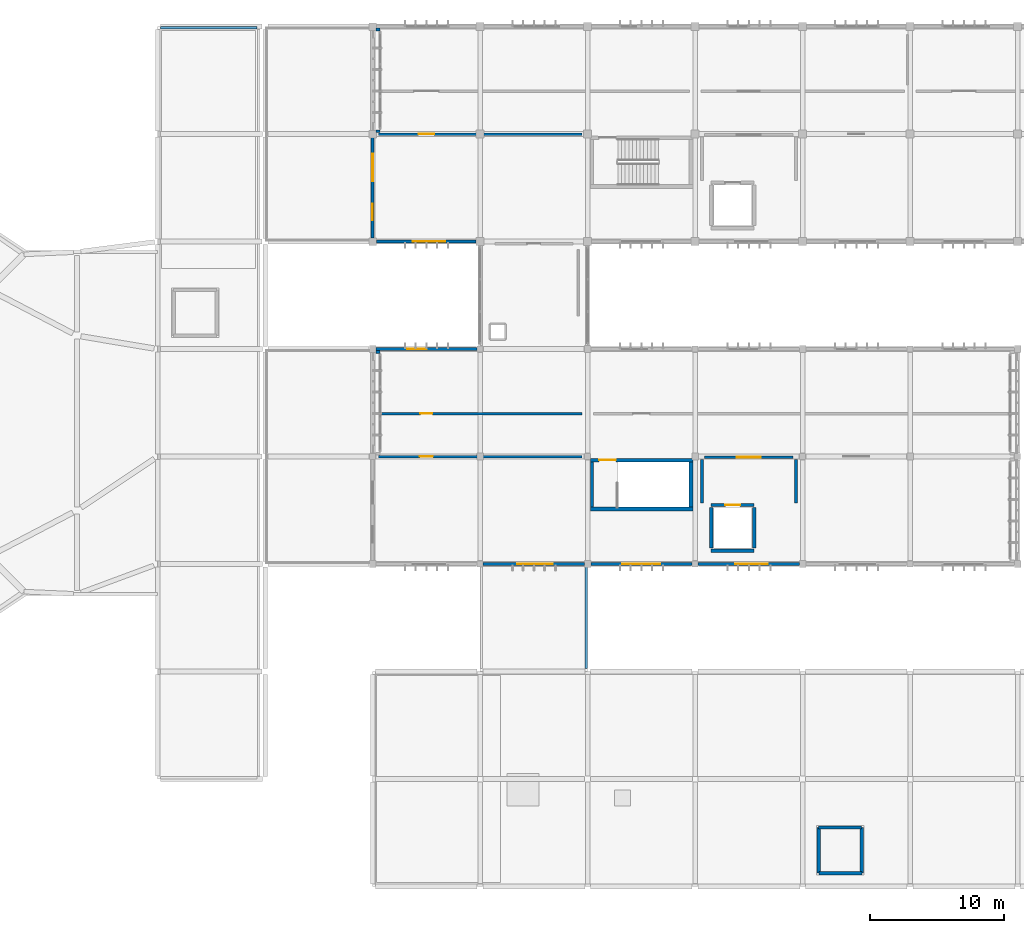
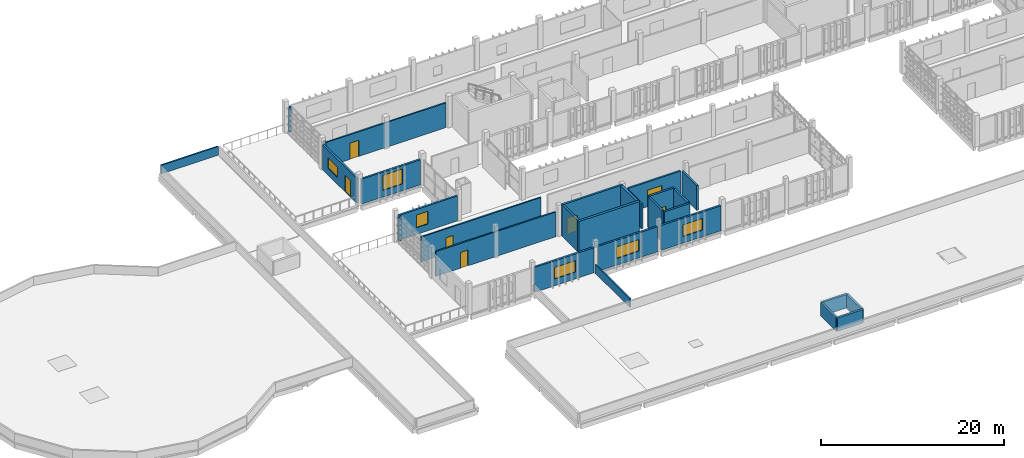
# One storey, part 31 of 48: 29 walls, 7 doors, 6 windows, 13 openings.
"""IFC4 building model written with IfcOpenShell, lengths in metres."""

from ifc_helpers import new_model, si_unit, direction, frame, frame_2d, origin, place, context, subcontext, project, spatial, rectangle, extrude, material, layer, layer_set, type_object, element, fill, save


model = new_model("IFC4")

# Units and contexts
model_context = context("Model", 3, precision=1e-05, world=origin(), true_north=direction((0.0, 1.0)))
body_context = subcontext(model_context, "Body", "Model", "MODEL_VIEW")
ifc_project = project(units=[si_unit("LENGTHUNIT", "METRE"), si_unit("AREAUNIT", "SQUARE_METRE"), si_unit("VOLUMEUNIT", "CUBIC_METRE"), si_unit("PLANEANGLEUNIT", "RADIAN"), si_unit("MASSUNIT", "GRAM", prefix="KILO")], contexts=[model_context])

# Site, building, storey
site_placement = place(None, origin())
site = spatial("IfcSite", under=ifc_project, at=site_placement, CompositionType="ELEMENT")
building_placement = place(site_placement, origin())
building = spatial("IfcBuilding", under=site, at=building_placement, Name="Jelvoka-Kovrelna Polytechnic", CompositionType="ELEMENT")
storey_placement = place(building_placement, frame((0.0, 0.0, 22.199951171875)))
storey = spatial("IfcBuildingStorey", under=building, at=storey_placement, Name="L06", CompositionType="ELEMENT", Elevation=22.199951171875)

# Wall, opening, door
ifc_material_1 = material(Name="Concrete C35/45", Category="concrete")
ifc_layer_1 = layer(ifc_material_1, 0.219970703125)
ifc_layer_set_1 = layer_set([ifc_layer_1], Name="Concrete C35/45")
wall_type_1 = type_object("IfcWallType", Name="Wall_Compartment_220", PredefinedType="PARTITIONING", material=ifc_layer_set_1)
wall_1_placement = place(storey_placement, frame((88.699951171875, 39.949951171875, 0.0), z_axis=(0.0, 0.0, 1.0), x_axis=(1.0, 0.0, 0.0)))
wall_1 = element("IfcWall", 1, at=wall_1_placement, inside=storey, type_object=wall_type_1, Name="L06 interior wall 0445", PredefinedType="PARTITIONING", context=body_context, shape_type="SweptSolid", body=[
    extrude(rectangle(XDim=6.60009765625, YDim=0.219970703125, at=frame_2d((3.300048828125, 0.0))), origin(), (0.0, 0.0, 1.0), 3.300048828125),
])
opening_1_placement = place(wall_1_placement, frame((2.39990234375, 0.0, 0.0)))
opening_1 = element("IfcOpeningElement", 2, at=opening_1_placement, cuts=wall_1, Name="Opening FD-L06-088", PredefinedType="OPENING", context=body_context, shape_type="SweptSolid", body=[
    extrude(rectangle(XDim=1.800048828125, YDim=2.199951171875, at=frame_2d((0.89990234375, 1.10009765625))), frame((0.0, 0.119873046875, 0.0), z_axis=(0.0, -1.0, 0.0), x_axis=(1.0, 0.0, 0.0)), (0.0, 0.0, 1.0), 0.239990234375),
])
ifc_material_2 = material(Name="Paired steel corridor fire door", Category="steel")
door_type_1 = type_object("IfcDoorType", Name="Door_Fire_FD03", OperationType="NOTDEFINED", PredefinedType="DOOR", material=ifc_material_2)
door_1_placement = place(opening_1_placement, origin())
door_1 = element("IfcDoor", 3, at=door_1_placement, inside=storey, type_object=door_type_1, Name="L06 interior door FD-L06-088", OperationType="DOUBLE_DOOR_SINGLE_SWING", OverallHeight=2.199951171875, OverallWidth=1.800048828125, PredefinedType="DOOR", context=body_context, shape_type="SweptSolid", body=[
    extrude(rectangle(XDim=1.800048828125, YDim=2.199951171875, at=frame_2d((0.89990234375, 1.10009765625))), frame((0.0, 0.02490234375, 0.0), z_axis=(0.0, -1.0, 0.0), x_axis=(1.0, 0.0, 0.0)), (0.0, 0.0, 1.0), 0.050048828125),
])
fill(opening_1, door_1)

# Walls
for number, where, z_axis, x_axis, name in (
    (4, (88.5, 36.550048828125, 0.0), (0.0, 0.0, 1.0), (0.0, 1.0, 0.0), "L06 interior wall 0446"),
    (5, (95.5, 36.550048828125, 0.0), (0.0, 0.0, 1.0), (0.0, 1.0, 0.0), "L06 interior wall 0447"),
):
    element("IfcWall", number, at=place(storey_placement, frame(where, z_axis=z_axis, x_axis=x_axis)), inside=storey, type_object=wall_type_1, Name=name, PredefinedType="PARTITIONING", context=body_context, shape_type="SweptSolid", body=[
        extrude(rectangle(XDim=3.25, YDim=0.219970703125, at=frame_2d((1.625, 0.0))), origin(), (0.0, 0.0, 1.0), 3.300048828125),
    ])

# Wall, opening, door
ifc_material_3 = material(Name="Concrete C40/50", Category="concrete")
ifc_layer_2 = layer(ifc_material_3, 0.25)
ifc_layer_set_2 = layer_set([ifc_layer_2], Name="Concrete C40/50")
wall_type_2 = type_object("IfcWallType", Name="Wall_Core_250", PredefinedType="SOLIDWALL", material=ifc_layer_set_2)
wall_2_placement = place(storey_placement, frame((80.199951171875, 39.739990234375, 0.0), z_axis=(0.0, 0.0, 1.0), x_axis=(1.0, 0.0, 0.0)))
wall_2 = element("IfcWall", 6, at=wall_2_placement, inside=storey, type_object=wall_type_2, Name="L06 interior wall 0111", PredefinedType="SOLIDWALL", context=body_context, shape_type="SweptSolid", body=[
    extrude(rectangle(XDim=7.650146484375, YDim=0.25, at=frame_2d((3.8251953125, 0.0))), origin(), (0.0, 0.0, 1.0), 4.199951171875),
])
opening_2_placement = place(wall_2_placement, frame((0.64990234375, 0.0, 0.0)))
opening_2 = element("IfcOpeningElement", 7, at=opening_2_placement, cuts=wall_2, Name="Opening SD-L06-028", PredefinedType="OPENING", context=body_context, shape_type="SweptSolid", body=[
    extrude(rectangle(XDim=1.25, YDim=2.14990234375, at=frame_2d((0.625, 1.074951171875))), frame((0.0, 0.135009765625, 0.0), z_axis=(0.0, -1.0, 0.0), x_axis=(1.0, 0.0, 0.0)), (0.0, 0.0, 1.0), 0.27001953125),
])
ifc_material_4 = material(Name="Powder-coated steel fire door", Category="steel")
door_type_2 = type_object("IfcDoorType", Name="Door_Fire_FD02", OperationType="NOTDEFINED", PredefinedType="DOOR", material=ifc_material_4)
door_2_placement = place(opening_2_placement, origin())
door_2 = element("IfcDoor", 8, at=door_2_placement, inside=storey, type_object=door_type_2, Name="L06 interior door SD-L06-028", OperationType="SINGLE_SWING_LEFT", OverallHeight=2.14990234375, OverallWidth=1.25, PredefinedType="DOOR", context=body_context, shape_type="SweptSolid", body=[
    extrude(rectangle(XDim=1.25, YDim=2.14990234375, at=frame_2d((0.625, 1.074951171875))), frame((0.0, 0.02490234375, 0.0), z_axis=(0.0, -1.0, 0.0), x_axis=(1.0, 0.0, 0.0)), (0.0, 0.0, 1.0), 0.050048828125),
])
fill(opening_2, door_2)

# Walls
wall_3_placement = place(storey_placement, frame((80.324951171875, 36.25, 0.0), z_axis=(0.0, 0.0, 1.0), x_axis=(0.0, 1.0, 0.0)))
element("IfcWall", 9, at=wall_3_placement, inside=storey, type_object=wall_type_2, Name="L06 interior wall 0112", PredefinedType="SOLIDWALL", context=body_context, shape_type="SweptSolid", body=[
    extrude(rectangle(XDim=3.360107421875, YDim=0.25, at=frame_2d((1.68017578125, 0.0))), origin(), (0.0, 0.0, 1.0), 4.199951171875),
])
wall_4_placement = place(storey_placement, frame((89.199951171875, 33.0, 0.0), z_axis=(0.0, 0.0, 1.0), x_axis=(1.0, 0.0, 0.0)))
element("IfcWall", 10, at=wall_4_placement, inside=storey, type_object=wall_type_2, Name="L06 interior wall 0441", PredefinedType="SOLIDWALL", context=body_context, shape_type="SweptSolid", body=[
    extrude(rectangle(XDim=3.199951171875, YDim=0.25, at=frame_2d((1.60009765625, 0.0))), origin(), (0.0, 0.0, 1.0), 4.199951171875),
])

# Wall, opening, door
wall_5_placement = place(storey_placement, frame((89.199951171875, 36.39990234375, 0.0), z_axis=(0.0, 0.0, 1.0), x_axis=(1.0, 0.0, 0.0)))
wall_5 = element("IfcWall", 11, at=wall_5_placement, inside=storey, type_object=wall_type_2, Name="L06 interior wall 0442", PredefinedType="SOLIDWALL", context=body_context, shape_type="SweptSolid", body=[
    extrude(rectangle(XDim=3.199951171875, YDim=0.25, at=frame_2d((1.60009765625, 0.0))), origin(), (0.0, 0.0, 1.0), 4.199951171875),
])
opening_3_placement = place(wall_5_placement, frame((1.050048828125, 0.0, 0.0)))
opening_3 = element("IfcOpeningElement", 12, at=opening_3_placement, cuts=wall_5, Name="Opening LD-L06-25", PredefinedType="OPENING", context=body_context, shape_type="SweptSolid", body=[
    extrude(rectangle(XDim=1.10009765625, YDim=2.14990234375, at=frame_2d((0.550048828125, 1.074951171875))), frame((0.0, 0.135009765625, 0.0), z_axis=(0.0, -1.0, 0.0), x_axis=(1.0, 0.0, 0.0)), (0.0, 0.0, 1.0), 0.27001953125),
])
ifc_material_5 = material(Name="Brushed stainless steel sliding landing door", Category="steel")
door_type_3 = type_object("IfcDoorType", Name="Door_Lift_LD01", OperationType="NOTDEFINED", PredefinedType="DOOR", material=ifc_material_5)
door_3_placement = place(opening_3_placement, origin())
door_3 = element("IfcDoor", 13, at=door_3_placement, inside=storey, type_object=door_type_3, Name="L06 lift landing sliding door LD-L06-25", OperationType="DOUBLE_DOOR_SLIDING", OverallHeight=2.14990234375, OverallWidth=1.10009765625, PredefinedType="DOOR", context=body_context, shape_type="SweptSolid", body=[
    extrude(rectangle(XDim=1.10009765625, YDim=2.14990234375, at=frame_2d((0.550048828125, 1.074951171875))), frame((0.0, 0.02490234375, 0.0), z_axis=(0.0, -1.0, 0.0), x_axis=(1.0, 0.0, 0.0)), (0.0, 0.0, 1.0), 0.050048828125),
])
fill(opening_3, door_3)

# Walls
for number, where, z_axis, x_axis, name in (
    (14, (89.199951171875, 33.199951171875, 0.0), (0.0, 0.0, 1.0), (0.0, 1.0, 0.0), "L06 interior wall 0443"),
    (15, (92.39990234375, 33.199951171875, 0.0), (0.0, 0.0, 1.0), (0.0, 1.0, 0.0), "L06 interior wall 0444"),
):
    element("IfcWall", number, at=place(storey_placement, frame(where, z_axis=z_axis, x_axis=x_axis)), inside=storey, type_object=wall_type_2, Name=name, PredefinedType="SOLIDWALL", context=body_context, shape_type="SweptSolid", body=[
        extrude(rectangle(XDim=3.0, YDim=0.25, at=frame_2d((1.5, 0.0))), origin(), (0.0, 0.0, 1.0), 4.199951171875),
    ])
wall_6_placement = place(storey_placement, frame((97.199951171875, 9.0, 0.0), z_axis=(0.0, 0.0, 1.0), x_axis=(1.0, 0.0, 0.0)))
element("IfcWall", 16, at=wall_6_placement, inside=storey, type_object=wall_type_2, Name="L06 interior wall 0555", PredefinedType="SOLIDWALL", context=body_context, shape_type="SweptSolid", body=[
    extrude(rectangle(XDim=3.199951171875, YDim=0.25, at=frame_2d((1.60009765625, 0.0))), origin(), (0.0, 0.0, 1.0), 1.800048828125),
])
wall_7_placement = place(storey_placement, frame((100.39990234375, 9.0, 0.0), z_axis=(0.0, 0.0, 1.0), x_axis=(0.0, 1.0, 0.0)))
element("IfcWall", 17, at=wall_7_placement, inside=storey, type_object=wall_type_2, Name="L06 interior wall 0556", PredefinedType="SOLIDWALL", context=body_context, shape_type="SweptSolid", body=[
    extrude(rectangle(XDim=3.39990234375, YDim=0.25, at=frame_2d((1.699951171875, 0.0))), origin(), (0.0, 0.0, 1.0), 1.800048828125),
])
wall_8_placement = place(storey_placement, frame((100.39990234375, 12.39990234375, 0.0), z_axis=(0.0, 0.0, 1.0), x_axis=(-1.0, 0.0, 0.0)))
element("IfcWall", 18, at=wall_8_placement, inside=storey, type_object=wall_type_2, Name="L06 interior wall 0557", PredefinedType="SOLIDWALL", context=body_context, shape_type="SweptSolid", body=[
    extrude(rectangle(XDim=3.199951171875, YDim=0.25, at=frame_2d((1.60009765625, 0.0))), origin(), (0.0, 0.0, 1.0), 1.800048828125),
])
wall_9_placement = place(storey_placement, frame((97.199951171875, 12.39990234375, 0.0), z_axis=(0.0, 0.0, 1.0), x_axis=(0.0, -1.0, 0.0)))
element("IfcWall", 19, at=wall_9_placement, inside=storey, type_object=wall_type_2, Name="L06 interior wall 0558", PredefinedType="SOLIDWALL", context=body_context, shape_type="SweptSolid", body=[
    extrude(rectangle(XDim=3.39990234375, YDim=0.25, at=frame_2d((1.699951171875, 0.0))), origin(), (0.0, 0.0, 1.0), 1.800048828125),
])

# Wall, opening, door
ifc_material_6 = material(Name="Autoclaved aerated concrete blockwork", Category="masonry")
ifc_layer_3 = layer(ifc_material_6, 0.179931640625)
ifc_layer_set_3 = layer_set([ifc_layer_3], Name="Autoclaved aerated concrete blockwork")
wall_type_3 = type_object("IfcWallType", Name="Wall_Corridor_180", PredefinedType="PARTITIONING", material=ifc_layer_set_3)
wall_10_placement = place(storey_placement, frame((64.429931640625, 40.0, 0.0), z_axis=(0.0, 0.0, 1.0), x_axis=(1.0, 0.0, 0.0)))
wall_10 = element("IfcWall", 20, at=wall_10_placement, inside=storey, type_object=wall_type_3, Name="L06 interior wall 1240", PredefinedType="PARTITIONING", context=body_context, shape_type="SweptSolid", body=[
    extrude(rectangle(XDim=15.14013671875, YDim=0.179931640625, at=frame_2d((7.570068359375, 0.0))), origin(), (0.0, 0.0, 1.0), 3.300048828125),
])
opening_4_placement = place(wall_10_placement, frame((3.094970703125, 0.0, 0.0)))
opening_4 = element("IfcOpeningElement", 21, at=opening_4_placement, cuts=wall_10, Name="Opening D-L06-416", PredefinedType="OPENING", context=body_context, shape_type="SweptSolid", body=[
    extrude(rectangle(XDim=0.949951171875, YDim=2.10009765625, at=frame_2d((0.47509765625, 1.050048828125))), frame((0.0, 0.099853515625, 0.0), z_axis=(0.0, -1.0, 0.0), x_axis=(1.0, 0.0, 0.0)), (0.0, 0.0, 1.0), 0.199951171875),
])
ifc_material_7 = material(Name="Hardwood fire-resisting laboratory door", Category="wood")
door_type_4 = type_object("IfcDoorType", Name="Door_Fire_FD30_01", OperationType="NOTDEFINED", PredefinedType="DOOR", material=ifc_material_7)
door_4_placement = place(opening_4_placement, origin())
door_4 = element("IfcDoor", 22, at=door_4_placement, inside=storey, type_object=door_type_4, Name="L06 interior door D-L06-416", OperationType="SINGLE_SWING_LEFT", OverallHeight=2.10009765625, OverallWidth=0.949951171875, PredefinedType="DOOR", context=body_context, shape_type="SweptSolid", body=[
    extrude(rectangle(XDim=0.949951171875, YDim=2.10009765625, at=frame_2d((0.47509765625, 1.050048828125))), frame((0.0, 0.02490234375, 0.0), z_axis=(0.0, -1.0, 0.0), x_axis=(1.0, 0.0, 0.0)), (0.0, 0.0, 1.0), 0.050048828125),
])
fill(opening_4, door_4)

wall_11_placement = place(storey_placement, frame((64.429931640625, 43.199951171875, 0.0), z_axis=(0.0, 0.0, 1.0), x_axis=(1.0, 0.0, 0.0)))
wall_11 = element("IfcWall", 23, at=wall_11_placement, inside=storey, type_object=wall_type_3, Name="L06 interior wall 1242", PredefinedType="PARTITIONING", context=body_context, shape_type="SweptSolid", body=[
    extrude(rectangle(XDim=15.14013671875, YDim=0.179931640625, at=frame_2d((7.570068359375, 0.0))), origin(), (0.0, 0.0, 1.0), 3.300048828125),
])
opening_5_placement = place(wall_11_placement, frame((3.1201171875, 0.0, 0.0)))
opening_5 = element("IfcOpeningElement", 24, at=opening_5_placement, cuts=wall_11, Name="Opening D-L06-418", PredefinedType="OPENING", context=body_context, shape_type="SweptSolid", body=[
    extrude(rectangle(XDim=0.89990234375, YDim=2.10009765625, at=frame_2d((0.449951171875, 1.050048828125))), frame((0.0, 0.099853515625, 0.0), z_axis=(0.0, -1.0, 0.0), x_axis=(1.0, 0.0, 0.0)), (0.0, 0.0, 1.0), 0.199951171875),
])
ifc_material_8 = material(Name="Hardwood solid-core door", Category="wood")
door_type_5 = type_object("IfcDoorType", Name="Door_Int_D01", OperationType="NOTDEFINED", PredefinedType="DOOR", material=ifc_material_8)
door_5_placement = place(opening_5_placement, origin())
door_5 = element("IfcDoor", 25, at=door_5_placement, inside=storey, type_object=door_type_5, Name="L06 interior door D-L06-418", OperationType="SINGLE_SWING_RIGHT", OverallHeight=2.10009765625, OverallWidth=0.89990234375, PredefinedType="DOOR", context=body_context, shape_type="SweptSolid", body=[
    extrude(rectangle(XDim=0.89990234375, YDim=2.10009765625, at=frame_2d((0.449951171875, 1.050048828125))), frame((0.0, 0.02490234375, 0.0), z_axis=(0.0, -1.0, 0.0), x_axis=(1.0, 0.0, 0.0)), (0.0, 0.0, 1.0), 0.050048828125),
])
fill(opening_5, door_5)

wall_12_placement = place(storey_placement, frame((64.429931640625, 64.0, 0.0), z_axis=(0.0, 0.0, 1.0), x_axis=(1.0, 0.0, 0.0)))
wall_12 = element("IfcWall", 26, at=wall_12_placement, inside=storey, type_object=wall_type_3, Name="L06 interior wall 1252", PredefinedType="PARTITIONING", context=body_context, shape_type="SweptSolid", body=[
    extrude(rectangle(XDim=15.14013671875, YDim=0.179931640625, at=frame_2d((7.570068359375, 0.0))), origin(), (0.0, 0.0, 1.0), 3.300048828125),
])
opening_6_placement = place(wall_12_placement, frame((2.9951171875, 0.0, 0.0)))
opening_6 = element("IfcOpeningElement", 27, at=opening_6_placement, cuts=wall_12, Name="Opening D-L06-427", PredefinedType="OPENING", context=body_context, shape_type="SweptSolid", body=[
    extrude(rectangle(XDim=1.14990234375, YDim=2.14990234375, at=frame_2d((0.574951171875, 1.074951171875))), frame((0.0, 0.099853515625, 0.0), z_axis=(0.0, -1.0, 0.0), x_axis=(1.0, 0.0, 0.0)), (0.0, 0.0, 1.0), 0.199951171875),
])
ifc_material_9 = material(Name="Hardwood fire-resisting laboratory door", Category="wood")
door_type_6 = type_object("IfcDoorType", Name="Door_Fire_FD30_03", OperationType="NOTDEFINED", PredefinedType="DOOR", material=ifc_material_9)
door_6_placement = place(opening_6_placement, origin())
door_6 = element("IfcDoor", 28, at=door_6_placement, inside=storey, type_object=door_type_6, Name="L06 interior door D-L06-427", OperationType="SINGLE_SWING_LEFT", OverallHeight=2.14990234375, OverallWidth=1.14990234375, PredefinedType="DOOR", context=body_context, shape_type="SweptSolid", body=[
    extrude(rectangle(XDim=1.14990234375, YDim=2.14990234375, at=frame_2d((0.574951171875, 1.074951171875))), frame((0.0, 0.02490234375, 0.0), z_axis=(0.0, -1.0, 0.0), x_axis=(1.0, 0.0, 0.0)), (0.0, 0.0, 1.0), 0.050048828125),
])
fill(opening_6, door_6)

# Wall, opening, window
ifc_material_10 = material(Name="Precast concrete C40/50", Category="concrete")
ifc_layer_4 = layer(ifc_material_10, 0.239990234375)
ifc_layer_set_4 = layer_set([ifc_layer_4], Name="Precast concrete C40/50")
wall_type_4 = type_object("IfcWallType", Name="Wall_Ext_White_240", PredefinedType="STANDARD", material=ifc_layer_set_4)
wall_13_placement = place(storey_placement, frame((64.2470703125, 48.0, 0.0), z_axis=(0.0, 0.0, 1.0), x_axis=(1.0, 0.0, 0.0)))
wall_13 = element("IfcWall", 29, at=wall_13_placement, inside=storey, type_object=wall_type_4, Name="L06 exterior wall 0429", PredefinedType="STANDARD", context=body_context, shape_type="SweptSolid", body=[
    extrude(rectangle(XDim=7.531005859375, YDim=0.239990234375, at=frame_2d((3.765625, 0.0))), origin(), (0.0, 0.0, 1.0), 3.3349609375),
])
opening_7_placement = place(wall_13_placement, frame((2.3330078125, 0.0, 0.89990234375)))
opening_7 = element("IfcOpeningElement", 30, at=opening_7_placement, cuts=wall_13, Name="Opening W-L06-158", PredefinedType="OPENING", context=body_context, shape_type="SweptSolid", body=[
    extrude(rectangle(XDim=1.449951171875, YDim=1.699951171875, at=frame_2d((0.72509765625, 0.85009765625))), frame((0.0, 0.130126953125, 0.0), z_axis=(0.0, -1.0, 0.0), x_axis=(1.0, 0.0, 0.0)), (0.0, 0.0, 1.0), 0.260009765625),
])
ifc_material_11 = material(Name="Thermally broken anodised aluminium and low-e glazing", Category="aluminium")
window_type_1 = type_object("IfcWindowType", Name="Win_Casement_W33", PartitioningType="SINGLE_PANEL", PredefinedType="WINDOW", material=ifc_material_11)
window_1_placement = place(opening_7_placement, origin())
window_1 = element("IfcWindow", 31, at=window_1_placement, inside=storey, type_object=window_type_1, Name="L06 aluminium casement window W-L06-158", OverallHeight=1.699951171875, OverallWidth=1.449951171875, PartitioningType="SINGLE_PANEL", PredefinedType="WINDOW", context=body_context, shape_type="SweptSolid", body=[
    extrude(rectangle(XDim=1.449951171875, YDim=1.699951171875, at=frame_2d((0.72509765625, 0.85009765625))), frame((0.0, 0.030029296875, 0.0), z_axis=(0.0, -1.0, 0.0), x_axis=(1.0, 0.0, 0.0)), (0.0, 0.0, 1.0), 0.06005859375),
])
fill(opening_7, window_1)

wall_14_placement = place(storey_placement, frame((79.7529296875, 32.0, 0.0), z_axis=(0.0, 0.0, 1.0), x_axis=(-1.0, 0.0, 0.0)))
wall_14 = element("IfcWall", 32, at=wall_14_placement, inside=storey, type_object=wall_type_4, Name="L06 exterior wall 0430", PredefinedType="STANDARD", context=body_context, shape_type="SweptSolid", body=[
    extrude(rectangle(XDim=7.531005859375, YDim=0.239990234375, at=frame_2d((3.765625, 0.0))), origin(), (0.0, 0.0, 1.0), 3.3349609375),
])
opening_8_placement = place(wall_14_placement, frame((2.3330078125, 0.0, 0.89990234375)))
opening_8 = element("IfcOpeningElement", 33, at=opening_8_placement, cuts=wall_14, Name="Opening W-L06-159", PredefinedType="OPENING", context=body_context, shape_type="SweptSolid", body=[
    extrude(rectangle(XDim=2.64990234375, YDim=1.550048828125, at=frame_2d((1.324951171875, 0.77490234375))), frame((0.0, 0.130126953125, 0.0), z_axis=(0.0, -1.0, 0.0), x_axis=(1.0, 0.0, 0.0)), (0.0, 0.0, 1.0), 0.260009765625),
])
ifc_material_12 = material(Name="Thermally broken anodised aluminium and low-e glazing", Category="aluminium")
window_type_2 = type_object("IfcWindowType", Name="Win_Casement_W29", PartitioningType="DOUBLE_PANEL_VERTICAL", PredefinedType="WINDOW", material=ifc_material_12)
window_2_placement = place(opening_8_placement, origin())
window_2 = element("IfcWindow", 34, at=window_2_placement, inside=storey, type_object=window_type_2, Name="L06 aluminium casement window W-L06-159", OverallHeight=1.550048828125, OverallWidth=2.64990234375, PartitioningType="DOUBLE_PANEL_VERTICAL", PredefinedType="WINDOW", context=body_context, shape_type="SweptSolid", body=[
    extrude(rectangle(XDim=2.64990234375, YDim=1.550048828125, at=frame_2d((1.324951171875, 0.77490234375))), frame((0.0, 0.030029296875, 0.0), z_axis=(0.0, -1.0, 0.0), x_axis=(1.0, 0.0, 0.0)), (0.0, 0.0, 1.0), 0.06005859375),
])
fill(opening_8, window_2)

wall_15_placement = place(storey_placement, frame((87.778076171875, 32.0, 0.0), z_axis=(0.0, 0.0, 1.0), x_axis=(-1.0, 0.0, 0.0)))
wall_15 = element("IfcWall", 35, at=wall_15_placement, inside=storey, type_object=wall_type_4, Name="L06 exterior wall 0431", PredefinedType="STANDARD", context=body_context, shape_type="SweptSolid", body=[
    extrude(rectangle(XDim=7.531005859375, YDim=0.239990234375, at=frame_2d((3.765625, 0.0))), origin(), (0.0, 0.0, 1.0), 3.3349609375),
])
opening_9_placement = place(wall_15_placement, frame((2.35791015625, 0.0, 0.89990234375)))
opening_9 = element("IfcOpeningElement", 36, at=opening_9_placement, cuts=wall_15, Name="Opening W-L06-160", PredefinedType="OPENING", context=body_context, shape_type="SweptSolid", body=[
    extrude(rectangle(XDim=2.85009765625, YDim=1.550048828125, at=frame_2d((1.425048828125, 0.77490234375))), frame((0.0, 0.130126953125, 0.0), z_axis=(0.0, -1.0, 0.0), x_axis=(1.0, 0.0, 0.0)), (0.0, 0.0, 1.0), 0.260009765625),
])
ifc_material_13 = material(Name="Thermally broken anodised aluminium and low-e glazing", Category="aluminium")
window_type_3 = type_object("IfcWindowType", Name="Win_Casement_W30", PartitioningType="DOUBLE_PANEL_VERTICAL", PredefinedType="WINDOW", material=ifc_material_13)
window_3_placement = place(opening_9_placement, origin())
window_3 = element("IfcWindow", 37, at=window_3_placement, inside=storey, type_object=window_type_3, Name="L06 aluminium casement window W-L06-160", OverallHeight=1.550048828125, OverallWidth=2.85009765625, PartitioningType="DOUBLE_PANEL_VERTICAL", PredefinedType="WINDOW", context=body_context, shape_type="SweptSolid", body=[
    extrude(rectangle(XDim=2.85009765625, YDim=1.550048828125, at=frame_2d((1.425048828125, 0.77490234375))), frame((0.0, 0.030029296875, 0.0), z_axis=(0.0, -1.0, 0.0), x_axis=(1.0, 0.0, 0.0)), (0.0, 0.0, 1.0), 0.06005859375),
])
fill(opening_9, window_3)

wall_16_placement = place(storey_placement, frame((95.7529296875, 32.0, 0.0), z_axis=(0.0, 0.0, 1.0), x_axis=(-1.0, 0.0, 0.0)))
wall_16 = element("IfcWall", 38, at=wall_16_placement, inside=storey, type_object=wall_type_4, Name="L06 exterior wall 0433", PredefinedType="STANDARD", context=body_context, shape_type="SweptSolid", body=[
    extrude(rectangle(XDim=7.531005859375, YDim=0.239990234375, at=frame_2d((3.765625, 0.0))), origin(), (0.0, 0.0, 1.0), 3.3349609375),
])
opening_10_placement = place(wall_16_placement, frame((2.3330078125, 0.0, 0.89990234375)))
opening_10 = element("IfcOpeningElement", 39, at=opening_10_placement, cuts=wall_16, Name="Opening W-L06-162", PredefinedType="OPENING", context=body_context, shape_type="SweptSolid", body=[
    extrude(rectangle(XDim=2.449951171875, YDim=1.550048828125, at=frame_2d((1.22509765625, 0.77490234375))), frame((0.0, 0.130126953125, 0.0), z_axis=(0.0, -1.0, 0.0), x_axis=(1.0, 0.0, 0.0)), (0.0, 0.0, 1.0), 0.260009765625),
])
ifc_material_14 = material(Name="Thermally broken anodised aluminium and low-e glazing", Category="aluminium")
window_type_4 = type_object("IfcWindowType", Name="Win_Casement_W28", PartitioningType="DOUBLE_PANEL_VERTICAL", PredefinedType="WINDOW", material=ifc_material_14)
window_4_placement = place(opening_10_placement, origin())
window_4 = element("IfcWindow", 40, at=window_4_placement, inside=storey, type_object=window_type_4, Name="L06 aluminium casement window W-L06-162", OverallHeight=1.550048828125, OverallWidth=2.449951171875, PartitioningType="DOUBLE_PANEL_VERTICAL", PredefinedType="WINDOW", context=body_context, shape_type="SweptSolid", body=[
    extrude(rectangle(XDim=2.449951171875, YDim=1.550048828125, at=frame_2d((1.22509765625, 0.77490234375))), frame((0.0, 0.030029296875, 0.0), z_axis=(0.0, -1.0, 0.0), x_axis=(1.0, 0.0, 0.0)), (0.0, 0.0, 1.0), 0.06005859375),
])
fill(opening_10, window_4)

wall_17_placement = place(storey_placement, frame((71.702880859375, 56.0, 0.0), z_axis=(0.0, 0.0, 1.0), x_axis=(-1.0, 0.0, 0.0)))
wall_17 = element("IfcWall", 41, at=wall_17_placement, inside=storey, type_object=wall_type_4, Name="L06 exterior wall 0747", PredefinedType="STANDARD", context=body_context, shape_type="SweptSolid", body=[
    extrude(rectangle(XDim=7.430908203125, YDim=0.239990234375, at=frame_2d((3.71533203125, 0.0))), origin(), (0.0, 0.0, 1.0), 3.3349609375),
])
opening_11_placement = place(wall_17_placement, frame((2.282958984375, 0.0, 0.89990234375)))
opening_11 = element("IfcOpeningElement", 42, at=opening_11_placement, cuts=wall_17, Name="Opening W-L06-405", PredefinedType="OPENING", context=body_context, shape_type="SweptSolid", body=[
    extrude(rectangle(XDim=2.449951171875, YDim=2.0, at=frame_2d((1.22509765625, 1.0))), frame((0.0, 0.130126953125, 0.0), z_axis=(0.0, -1.0, 0.0), x_axis=(1.0, 0.0, 0.0)), (0.0, 0.0, 1.0), 0.260009765625),
])
ifc_material_15 = material(Name="Thermally broken anodised aluminium and low-e glazing", Category="aluminium")
window_type_5 = type_object("IfcWindowType", Name="Win_Casement_W58", PartitioningType="DOUBLE_PANEL_VERTICAL", PredefinedType="WINDOW", material=ifc_material_15)
window_5_placement = place(opening_11_placement, origin())
window_5 = element("IfcWindow", 43, at=window_5_placement, inside=storey, type_object=window_type_5, Name="L06 aluminium casement window W-L06-405", OverallHeight=2.0, OverallWidth=2.449951171875, PartitioningType="DOUBLE_PANEL_VERTICAL", PredefinedType="WINDOW", context=body_context, shape_type="SweptSolid", body=[
    extrude(rectangle(XDim=2.449951171875, YDim=2.0, at=frame_2d((1.22509765625, 1.0))), frame((0.0, 0.030029296875, 0.0), z_axis=(0.0, -1.0, 0.0), x_axis=(1.0, 0.0, 0.0)), (0.0, 0.0, 1.0), 0.06005859375),
])
fill(opening_11, window_5)

# Wall, openings, door, window
wall_18_placement = place(storey_placement, frame((64.0, 56.27197265625, 0.0), z_axis=(0.0, 0.0, 1.0), x_axis=(0.0, 1.0, 0.0)))
wall_18 = element("IfcWall", 44, at=wall_18_placement, inside=storey, type_object=wall_type_4, Name="L06 exterior wall 0775", PredefinedType="STANDARD", context=body_context, shape_type="SweptSolid", body=[
    extrude(rectangle(XDim=7.4560546875, YDim=0.239990234375, at=frame_2d((3.72802734375, 0.0))), origin(), (0.0, 0.0, 1.0), 3.3349609375),
])
opening_12_placement = place(wall_18_placement, frame((1.30810546875, 0.0, 0.0)))
opening_12 = element("IfcOpeningElement", 45, at=opening_12_placement, cuts=wall_18, Name="Opening TD-L06-016", PredefinedType="OPENING", context=body_context, shape_type="SweptSolid", body=[
    extrude(rectangle(XDim=1.25, YDim=2.199951171875, at=frame_2d((0.625, 1.10009765625))), frame((0.0, 0.130126953125, 0.0), z_axis=(0.0, -1.0, 0.0), x_axis=(1.0, 0.0, 0.0)), (0.0, 0.0, 1.0), 0.260009765625),
])
opening_13_placement = place(wall_18_placement, frame((4.2080078125, 0.0, 0.89990234375)))
opening_13 = element("IfcOpeningElement", 46, at=opening_13_placement, cuts=wall_18, Name="Opening W-L06-433", PredefinedType="OPENING", context=body_context, shape_type="SweptSolid", body=[
    extrude(rectangle(XDim=2.050048828125, YDim=1.39990234375, at=frame_2d((1.02490234375, 0.699951171875))), frame((0.0, 0.130126953125, 0.0), z_axis=(0.0, -1.0, 0.0), x_axis=(1.0, 0.0, 0.0)), (0.0, 0.0, 1.0), 0.260009765625),
])
ifc_material_16 = material(Name="Powder-coated aluminium and laminated safety glass", Category="aluminium")
door_type_7 = type_object("IfcDoorType", Name="Door_Ext_Terrace_1250x2200", OperationType="NOTDEFINED", PredefinedType="DOOR", material=ifc_material_16)
door_7_placement = place(opening_12_placement, origin())
door_7 = element("IfcDoor", 47, at=door_7_placement, inside=storey, type_object=door_type_7, Name="L06 exterior door TD-L06-016", OperationType="SINGLE_SWING_LEFT", OverallHeight=2.199951171875, OverallWidth=1.25, PredefinedType="DOOR", context=body_context, shape_type="SweptSolid", body=[
    extrude(rectangle(XDim=1.25, YDim=2.199951171875, at=frame_2d((0.625, 1.10009765625))), frame((0.0, 0.02490234375, 0.0), z_axis=(0.0, -1.0, 0.0), x_axis=(1.0, 0.0, 0.0)), (0.0, 0.0, 1.0), 0.050048828125),
])
fill(opening_12, door_7)
ifc_material_17 = material(Name="Thermally broken anodised aluminium and low-e glazing", Category="aluminium")
window_type_6 = type_object("IfcWindowType", Name="Win_Casement_W16", PartitioningType="DOUBLE_PANEL_VERTICAL", PredefinedType="WINDOW", material=ifc_material_17)
window_6_placement = place(opening_13_placement, origin())
window_6 = element("IfcWindow", 48, at=window_6_placement, inside=storey, type_object=window_type_6, Name="L06 aluminium casement window W-L06-433", OverallHeight=1.39990234375, OverallWidth=2.050048828125, PartitioningType="DOUBLE_PANEL_VERTICAL", PredefinedType="WINDOW", context=body_context, shape_type="SweptSolid", body=[
    extrude(rectangle(XDim=2.050048828125, YDim=1.39990234375, at=frame_2d((1.02490234375, 0.699951171875))), frame((0.0, 0.030029296875, 0.0), z_axis=(0.0, -1.0, 0.0), x_axis=(1.0, 0.0, 0.0)), (0.0, 0.0, 1.0), 0.06005859375),
])
fill(opening_13, window_6)

# Walls
ifc_material_18 = material(Name="Precast concrete C40/50", Category="concrete")
ifc_layer_5 = layer(ifc_material_18, 0.179931640625)
ifc_layer_set_5 = layer_set([ifc_layer_5], Name="Precast concrete C40/50")
wall_type_5 = type_object("IfcWallType", Name="Wall_Parapet_180", PredefinedType="PARAPET", material=ifc_layer_set_5)
wall_19_placement = place(storey_placement, frame((55.39990234375, 71.89990234375, 0.0), z_axis=(0.0, 0.0, 1.0), x_axis=(-1.0, 0.0, 0.0)))
element("IfcWall", 49, at=wall_19_placement, inside=storey, type_object=wall_type_5, Name="L06 exterior wall 1201", PredefinedType="PARAPET", context=body_context, shape_type="SweptSolid", body=[
    extrude(rectangle(XDim=7.179931640625, YDim=0.179931640625, at=frame_2d((3.58984375, 0.0))), origin(), (0.0, 0.0, 1.0), 1.150146484375),
])
wall_20_placement = place(storey_placement, frame((79.89990234375, 24.219970703125, 0.0), z_axis=(0.0, 0.0, 1.0), x_axis=(0.0, 1.0, 0.0)))
element("IfcWall", 50, at=wall_20_placement, inside=storey, type_object=wall_type_5, Name="L06 exterior wall 1203", PredefinedType="PARAPET", context=body_context, shape_type="SweptSolid", body=[
    extrude(rectangle(XDim=7.56005859375, YDim=0.179931640625, at=frame_2d((3.780029296875, 0.0))), origin(), (0.0, 0.0, 1.0), 1.150146484375),
])
ifc_material_19 = material(Name="Precast concrete C40/50", Category="concrete")
ifc_layer_6 = layer(ifc_material_19, 0.199951171875)
ifc_layer_set_6 = layer_set([ifc_layer_6], Name="Precast concrete C40/50")
wall_type_6 = type_object("IfcWallType", Name="Wall_Parapet_200", PredefinedType="PARAPET", material=ifc_layer_set_6)
for number, where, z_axis, x_axis, name in (
    (51, (64.239990234375, 47.780029296875, 0.0), (0.0, 0.0, 1.0), (1.0, 0.0, 0.0), "L06 exterior wall 0441"),
    (52, (64.239990234375, 64.219970703125, 0.0), (0.0, 0.0, 1.0), (1.0, 0.0, 0.0), "L06 exterior wall 0776"),
    (53, (64.239990234375, 71.780029296875, 0.0), (0.0, 0.0, 1.0), (1.0, 0.0, 0.0), "L06 exterior wall 0777"),
):
    element("IfcWall", number, at=place(storey_placement, frame(where, z_axis=z_axis, x_axis=x_axis)), inside=storey, type_object=wall_type_6, Name=name, PredefinedType="PARAPET", context=body_context, shape_type="SweptSolid", body=[
        extrude(rectangle(XDim=0.320068359375, YDim=0.199951171875, at=frame_2d((0.16015625, 0.0))), origin(), (0.0, 0.0, 1.0), 3.35009765625),
    ])
ifc_material_20 = material(Name="Concrete C40/50", Category="concrete")
ifc_layer_7 = layer(ifc_material_20, 0.300048828125)
ifc_layer_set_7 = layer_set([ifc_layer_7], Name="Concrete C40/50")
wall_type_7 = type_object("IfcWallType", Name="Wall_Shear_300", PredefinedType="SHEAR", material=ifc_layer_set_7)
wall_21_placement = place(storey_placement, frame((80.199951171875, 36.090087890625, 0.0), z_axis=(0.0, 0.0, 1.0), x_axis=(1.0, 0.0, 0.0)))
element("IfcWall", 54, at=wall_21_placement, inside=storey, type_object=wall_type_7, Name="L06 interior wall 0109", PredefinedType="SHEAR", context=body_context, shape_type="SweptSolid", body=[
    extrude(rectangle(XDim=7.650146484375, YDim=0.300048828125, at=frame_2d((3.8251953125, 0.0))), origin(), (0.0, 0.0, 1.0), 4.199951171875),
])
wall_22_placement = place(storey_placement, frame((87.7099609375, 36.25, 0.0), z_axis=(0.0, 0.0, 1.0), x_axis=(0.0, 1.0, 0.0)))
element("IfcWall", 55, at=wall_22_placement, inside=storey, type_object=wall_type_7, Name="L06 interior wall 0110", PredefinedType="SHEAR", context=body_context, shape_type="SweptSolid", body=[
    extrude(rectangle(XDim=3.360107421875, YDim=0.300048828125, at=frame_2d((1.68017578125, 0.0))), origin(), (0.0, 0.0, 1.0), 4.199951171875),
])

save(model, "model.ifc")
